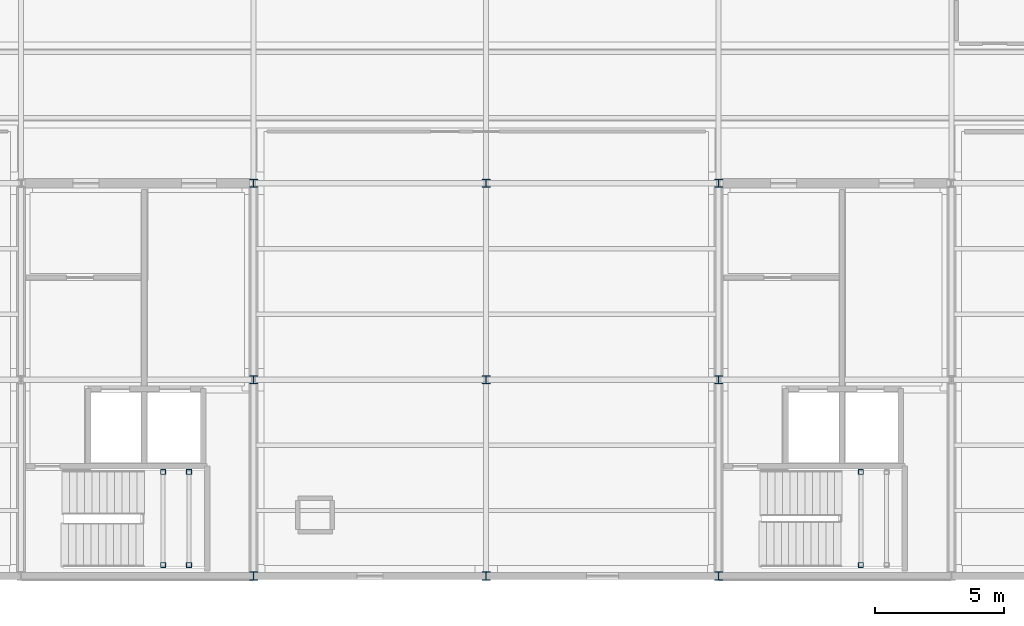
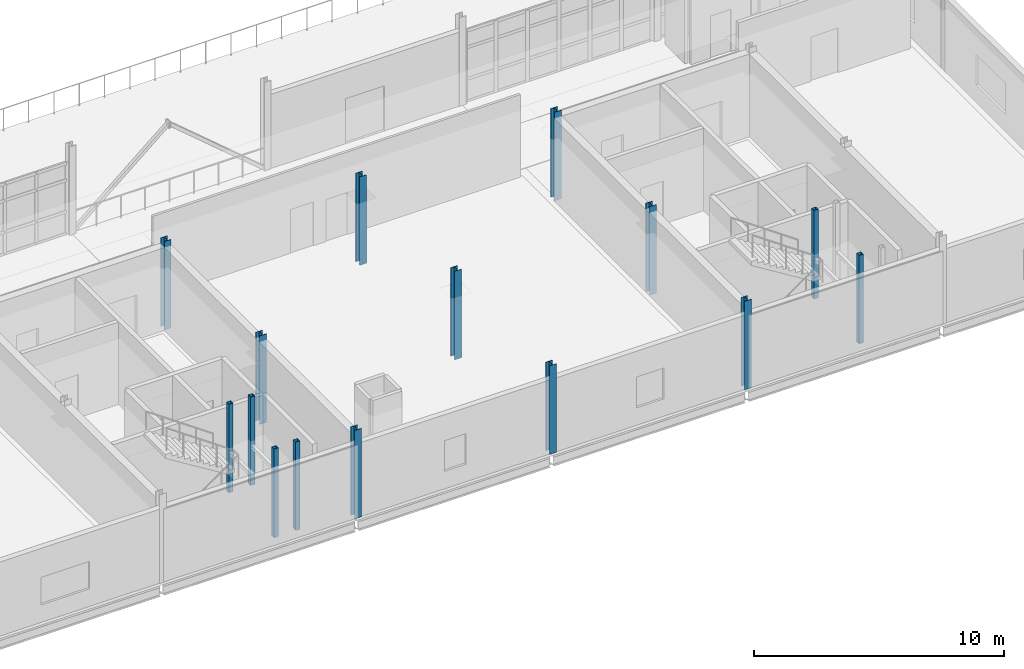
# One storey, part 6 of 166: 15 columns.
"""IFC4 building model written with IfcOpenShell, lengths in metres."""

from ifc_helpers import new_model, si_unit, direction, frame, origin, origin_2d, place, context, subcontext, project, spatial, hollow_rectangle, i_section, extrude, material, material_profile, profile_set, type_object, element, save


model = new_model("IFC4")

# Units and contexts
model_context = context("Model", 3, precision=1e-05, world=origin(), true_north=direction((0.0, 1.0)))
body_context = subcontext(model_context, "Body", "Model", "MODEL_VIEW")
ifc_project = project(units=[si_unit("LENGTHUNIT", "METRE"), si_unit("AREAUNIT", "SQUARE_METRE"), si_unit("VOLUMEUNIT", "CUBIC_METRE"), si_unit("PLANEANGLEUNIT", "RADIAN"), si_unit("MASSUNIT", "GRAM", prefix="KILO")], contexts=[model_context])

# Site, building, storey
site_placement = place(None, origin())
site = spatial("IfcSite", under=ifc_project, at=site_placement, CompositionType="ELEMENT")
building_placement = place(site_placement, origin())
building = spatial("IfcBuilding", under=site, at=building_placement, Name="Caisbarro Railhouse Central Library", CompositionType="ELEMENT")
storey_placement = place(building_placement, frame((0.0, 0.0, 9.360107421875)))
storey = spatial("IfcBuildingStorey", under=building, at=storey_placement, Name="L02", CompositionType="ELEMENT", Elevation=9.360107421875)

# Columns
ifc_material = material(Name="Steel ASTM A572 Grade 50", Category="steel")
ifc_material_profile_1 = material_profile(ifc_material, i_section(OverallWidth=0.31201171875, OverallDepth=0.31201171875, WebThickness=0.017333984375, FlangeThickness=0.017333984375, FilletRadius=0.014892578125, at=origin_2d()), Name="HP310X125.0")
ifc_profile_set_1 = profile_set([ifc_material_profile_1], Name="Steel ASTM A572 Grade 50")
column_type_1 = type_object("IfcColumnType", Name="COL-C03", PredefinedType="COLUMN", material=ifc_profile_set_1)
for number, where, z_axis, x_axis, name in (
    (1, (72.0, 0.0, 0.0), (0.0, 0.0, 1.0), (1.0, 0.0, 0.0), "C03 column L02 (72.0,0.0)"),
    (2, (72.0, 7.60009765625, 0.0), (0.0, 0.0, 1.0), (1.0, 0.0, 0.0), "C03 column L02 (72.0,7.6)"),
    (3, (72.0, 15.199951171875, 0.0), (0.0, 0.0, 1.0), (1.0, 0.0, 0.0), "C03 column L02 (72.0,15.2)"),
    (4, (81.0, 0.0, 0.0), (0.0, 0.0, 1.0), (1.0, 0.0, 0.0), "C03 column L02 (81.0,0.0)"),
    (5, (81.0, 7.60009765625, 0.0), (0.0, 0.0, 1.0), (1.0, 0.0, 0.0), "C03 column L02 (81.0,7.6)"),
    (6, (81.0, 15.199951171875, 0.0), (0.0, 0.0, 1.0), (1.0, 0.0, 0.0), "C03 column L02 (81.0,15.2)"),
    (7, (90.0, 0.0, 0.0), (0.0, 0.0, 1.0), (1.0, 0.0, 0.0), "C03 column L02 (90.0,0.0)"),
    (8, (90.0, 7.60009765625, 0.0), (0.0, 0.0, 1.0), (1.0, 0.0, 0.0), "C03 column L02 (90.0,7.6)"),
    (9, (90.0, 15.199951171875, 0.0), (0.0, 0.0, 1.0), (1.0, 0.0, 0.0), "C03 column L02 (90.0,15.2)"),
):
    element("IfcColumn", number, at=place(storey_placement, frame(where, z_axis=z_axis, x_axis=x_axis)), inside=storey, type_object=column_type_1, Name=name, PredefinedType="COLUMN", context=body_context, shape_type="SweptSolid", body=[
        extrude(i_section(OverallWidth=0.31201171875, OverallDepth=0.31201171875, WebThickness=0.017333984375, FlangeThickness=0.017333984375, FilletRadius=0.014892578125, at=origin_2d()), origin(), (0.0, 0.0, 1.0), 4.31982421875),
    ])
ifc_material_profile_2 = material_profile(ifc_material, hollow_rectangle(XDim=0.199951171875, YDim=0.199951171875, WallThickness=0.012451171875, at=origin_2d()), Name="HSS200X200X12.5")
ifc_profile_set_2 = profile_set([ifc_material_profile_2], Name="Steel ASTM A572 Grade 50")
column_type_2 = type_object("IfcColumnType", Name="COL-C10", PredefinedType="COLUMN", material=ifc_profile_set_2)
for number, where, z_axis, x_axis, name in (
    (10, (68.5, 0.419921875, 0.0), (0.0, 0.0, 1.0), (1.0, 0.0, 0.0), "C10 Stair Landing Post K1 L02.1"),
    (11, (68.5, 4.030029296875, 0.0), (0.0, 0.0, 1.0), (1.0, 0.0, 0.0), "C10 Stair Landing Post K1 L02.2"),
    (12, (69.5, 0.419921875, 0.0), (0.0, 0.0, 1.0), (1.0, 0.0, 0.0), "C10 Stair Landing Post K1 L02.3"),
    (13, (69.5, 4.030029296875, 0.0), (0.0, 0.0, 1.0), (1.0, 0.0, 0.0), "C10 Stair Landing Post K1 L02.4"),
    (14, (95.5, 0.419921875, 0.0), (0.0, 0.0, 1.0), (1.0, 0.0, 0.0), "C10 Stair Landing Post K2 L02.1"),
    (15, (95.5, 4.030029296875, 0.0), (0.0, 0.0, 1.0), (1.0, 0.0, 0.0), "C10 Stair Landing Post K2 L02.2"),
):
    element("IfcColumn", number, at=place(storey_placement, frame(where, z_axis=z_axis, x_axis=x_axis)), inside=storey, type_object=column_type_2, Name=name, PredefinedType="COLUMN", context=body_context, shape_type="SweptSolid", body=[
        extrude(hollow_rectangle(XDim=0.199951171875, YDim=0.199951171875, WallThickness=0.012451171875, at=origin_2d()), origin(), (0.0, 0.0, 1.0), 4.31982421875),
    ])

save(model, "model.ifc")
